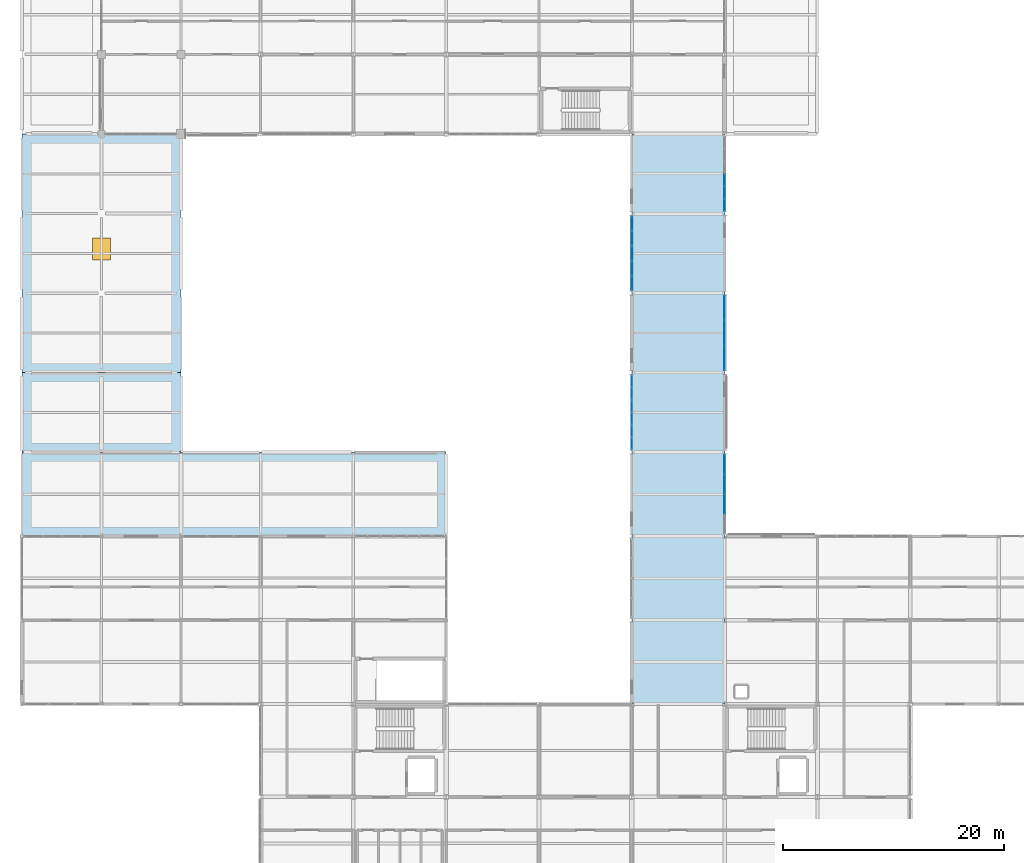
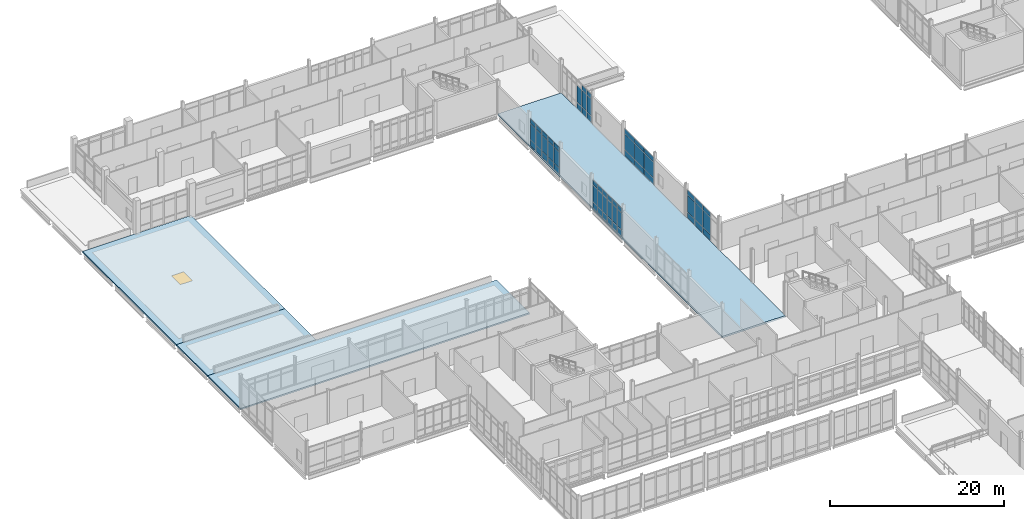
# One storey, part 127 of 186: 59 plates, 4 slabs, 1 window, 1 opening, 5 elements without a shape of their own.
"""IFC4 building model written with IfcOpenShell, lengths in metres."""

from ifc_helpers import new_model, si_unit, direction, frame, origin, origin_2d, place, context, subcontext, project, spatial, polyline, rectangle, outline, extrude, material, layer, layer_set, type_object, element, fill, aggregate, save


model = new_model("IFC4")

# Units and contexts
model_context = context("Model", 3, precision=1e-05, world=origin(), true_north=direction((0.0, 1.0)))
body_context = subcontext(model_context, "Body", "Model", "MODEL_VIEW")
ifc_project = project(units=[si_unit("LENGTHUNIT", "METRE"), si_unit("AREAUNIT", "SQUARE_METRE"), si_unit("VOLUMEUNIT", "CUBIC_METRE"), si_unit("PLANEANGLEUNIT", "RADIAN"), si_unit("MASSUNIT", "GRAM", prefix="KILO")], contexts=[model_context])

# Site, building, storey
site_placement = place(None, origin())
site = spatial("IfcSite", under=ifc_project, at=site_placement, CompositionType="ELEMENT")
building_placement = place(site_placement, origin())
building = spatial("IfcBuilding", under=site, at=building_placement, Name="Calvrana Isthmian Art Gallery", CompositionType="ELEMENT")
storey_placement = place(building_placement, frame((0.0, 0.0, 5.39990234375)))
storey = spatial("IfcBuildingStorey", under=building, at=storey_placement, Name="L01", CompositionType="ELEMENT", Elevation=5.39990234375)

# Curtain wall, plates
ifc_material_1 = material(Name="Anodized bronze aluminium 6063-T6", Category="aluminium")
ifc_layer_1 = layer(ifc_material_1, 0.179931640625, Name="Anodized bronze aluminium 6063-T6")
ifc_layer_set_1 = layer_set([ifc_layer_1], Name="Anodized bronze aluminium 6063-T6")
curtain_wall_type_1 = type_object("IfcCurtainWallType", Name="CW-STICK-068X39", PredefinedType="NOTDEFINED", material=ifc_layer_set_1)
curtain_wall_1_placement = place(storey_placement, origin())
curtain_wall_1 = element("IfcCurtainWall", 1, at=curtain_wall_1_placement, inside=storey, type_object=curtain_wall_type_1, Name="Curtain wall CW-125", PredefinedType="NOTDEFINED")
ifc_material_2 = material(Name="Polychrome glazed terracotta", Category="masonry")
ifc_layer_2 = layer(ifc_material_2, 0.033935546875, Name="Polychrome glazed terracotta")
ifc_layer_set_2 = layer_set([ifc_layer_2], Name="Polychrome glazed terracotta")
plate_type_1 = type_object("IfcPlateType", Name="CWP-SPANDREL-34", PredefinedType="CURTAIN_PANEL", material=ifc_layer_set_2)
plate_1_placement = place(storey_placement, frame((55.199951171875, 84.886962890625, 0.06005859375), z_axis=(0.0, 0.0, 1.0), x_axis=(0.0, 1.0, 0.0)))
plate_1 = element("IfcPlate", 2, at=plate_1_placement, type_object=plate_type_1, Name="CW-125 panel 1.1", PredefinedType="CURTAIN_PANEL", context=body_context, shape_type="SweptSolid", body=[
    extrude(rectangle(XDim=1.245849609375, YDim=0.033935546875, at=origin_2d()), origin(), (0.0, 0.0, 1.0), 0.81005859375),
])
plate_2_placement = place(storey_placement, frame((55.199951171875, 84.886962890625, 0.93017578125), z_axis=(0.0, 0.0, 1.0), x_axis=(0.0, 1.0, 0.0)))
plate_2 = element("IfcPlate", 3, at=plate_2_placement, type_object=plate_type_1, Name="CW-125 panel 1.2", PredefinedType="CURTAIN_PANEL", context=body_context, shape_type="SweptSolid", body=[
    extrude(rectangle(XDim=1.245849609375, YDim=0.033935546875, at=origin_2d()), origin(), (0.0, 0.0, 1.0), 2.202880859375),
])
plate_3_placement = place(storey_placement, frame((55.199951171875, 84.886962890625, 3.193359375), z_axis=(0.0, 0.0, 1.0), x_axis=(0.0, 1.0, 0.0)))
plate_3 = element("IfcPlate", 4, at=plate_3_placement, type_object=plate_type_1, Name="CW-125 panel 1.3", PredefinedType="CURTAIN_PANEL", context=body_context, shape_type="SweptSolid", body=[
    extrude(rectangle(XDim=1.245849609375, YDim=0.033935546875, at=origin_2d()), origin(), (0.0, 0.0, 1.0), 0.659912109375),
])
plate_4_placement = place(storey_placement, frame((55.199951171875, 86.23291015625, 0.06005859375), z_axis=(0.0, 0.0, 1.0), x_axis=(0.0, 1.0, 0.0)))
plate_4 = element("IfcPlate", 5, at=plate_4_placement, type_object=plate_type_1, Name="CW-125 panel 2.1", PredefinedType="CURTAIN_PANEL", context=body_context, shape_type="SweptSolid", body=[
    extrude(rectangle(XDim=1.285888671875, YDim=0.033935546875, at=origin_2d()), origin(), (0.0, 0.0, 1.0), 0.81005859375),
])
plate_5_placement = place(storey_placement, frame((55.199951171875, 86.23291015625, 0.93017578125), z_axis=(0.0, 0.0, 1.0), x_axis=(0.0, 1.0, 0.0)))
plate_5 = element("IfcPlate", 6, at=plate_5_placement, type_object=plate_type_1, Name="CW-125 panel 2.2", PredefinedType="CURTAIN_PANEL", context=body_context, shape_type="SweptSolid", body=[
    extrude(rectangle(XDim=1.285888671875, YDim=0.033935546875, at=origin_2d()), origin(), (0.0, 0.0, 1.0), 2.202880859375),
])
plate_6_placement = place(storey_placement, frame((55.199951171875, 86.23291015625, 3.193359375), z_axis=(0.0, 0.0, 1.0), x_axis=(0.0, 1.0, 0.0)))
plate_6 = element("IfcPlate", 7, at=plate_6_placement, type_object=plate_type_1, Name="CW-125 panel 2.3", PredefinedType="CURTAIN_PANEL", context=body_context, shape_type="SweptSolid", body=[
    extrude(rectangle(XDim=1.285888671875, YDim=0.033935546875, at=origin_2d()), origin(), (0.0, 0.0, 1.0), 0.659912109375),
])
plate_7_placement = place(storey_placement, frame((55.199951171875, 87.5986328125, 0.06005859375), z_axis=(0.0, 0.0, 1.0), x_axis=(0.0, 1.0, 0.0)))
plate_7 = element("IfcPlate", 8, at=plate_7_placement, type_object=plate_type_1, Name="CW-125 panel 3.1", PredefinedType="CURTAIN_PANEL", context=body_context, shape_type="SweptSolid", body=[
    extrude(rectangle(XDim=1.285888671875, YDim=0.033935546875, at=origin_2d()), origin(), (0.0, 0.0, 1.0), 0.81005859375),
])
plate_8_placement = place(storey_placement, frame((55.199951171875, 87.5986328125, 0.93017578125), z_axis=(0.0, 0.0, 1.0), x_axis=(0.0, 1.0, 0.0)))
plate_8 = element("IfcPlate", 9, at=plate_8_placement, type_object=plate_type_1, Name="CW-125 panel 3.2", PredefinedType="CURTAIN_PANEL", context=body_context, shape_type="SweptSolid", body=[
    extrude(rectangle(XDim=1.285888671875, YDim=0.033935546875, at=origin_2d()), origin(), (0.0, 0.0, 1.0), 2.202880859375),
])
plate_9_placement = place(storey_placement, frame((55.199951171875, 87.5986328125, 3.193359375), z_axis=(0.0, 0.0, 1.0), x_axis=(0.0, 1.0, 0.0)))
plate_9 = element("IfcPlate", 10, at=plate_9_placement, type_object=plate_type_1, Name="CW-125 panel 3.3", PredefinedType="CURTAIN_PANEL", context=body_context, shape_type="SweptSolid", body=[
    extrude(rectangle(XDim=1.285888671875, YDim=0.033935546875, at=origin_2d()), origin(), (0.0, 0.0, 1.0), 0.659912109375),
])
plate_10_placement = place(storey_placement, frame((55.199951171875, 88.964599609375, 0.06005859375), z_axis=(0.0, 0.0, 1.0), x_axis=(0.0, 1.0, 0.0)))
plate_10 = element("IfcPlate", 11, at=plate_10_placement, type_object=plate_type_1, Name="CW-125 panel 4.1", PredefinedType="CURTAIN_PANEL", context=body_context, shape_type="SweptSolid", body=[
    extrude(rectangle(XDim=1.285888671875, YDim=0.033935546875, at=origin_2d()), origin(), (0.0, 0.0, 1.0), 0.81005859375),
])
plate_11_placement = place(storey_placement, frame((55.199951171875, 88.964599609375, 0.93017578125), z_axis=(0.0, 0.0, 1.0), x_axis=(0.0, 1.0, 0.0)))
plate_11 = element("IfcPlate", 12, at=plate_11_placement, type_object=plate_type_1, Name="CW-125 panel 4.2", PredefinedType="CURTAIN_PANEL", context=body_context, shape_type="SweptSolid", body=[
    extrude(rectangle(XDim=1.285888671875, YDim=0.033935546875, at=origin_2d()), origin(), (0.0, 0.0, 1.0), 2.202880859375),
])
plate_12_placement = place(storey_placement, frame((55.199951171875, 88.964599609375, 3.193359375), z_axis=(0.0, 0.0, 1.0), x_axis=(0.0, 1.0, 0.0)))
plate_12 = element("IfcPlate", 13, at=plate_12_placement, type_object=plate_type_1, Name="CW-125 panel 4.3", PredefinedType="CURTAIN_PANEL", context=body_context, shape_type="SweptSolid", body=[
    extrude(rectangle(XDim=1.285888671875, YDim=0.033935546875, at=origin_2d()), origin(), (0.0, 0.0, 1.0), 0.659912109375),
])
plate_13_placement = place(storey_placement, frame((55.199951171875, 90.310546875, 0.06005859375), z_axis=(0.0, 0.0, 1.0), x_axis=(0.0, 1.0, 0.0)))
plate_13 = element("IfcPlate", 14, at=plate_13_placement, type_object=plate_type_1, Name="CW-125 panel 5.1", PredefinedType="CURTAIN_PANEL", context=body_context, shape_type="SweptSolid", body=[
    extrude(rectangle(XDim=1.245849609375, YDim=0.033935546875, at=origin_2d()), origin(), (0.0, 0.0, 1.0), 0.81005859375),
])
plate_14_placement = place(storey_placement, frame((55.199951171875, 90.310546875, 0.93017578125), z_axis=(0.0, 0.0, 1.0), x_axis=(0.0, 1.0, 0.0)))
plate_14 = element("IfcPlate", 15, at=plate_14_placement, type_object=plate_type_1, Name="CW-125 panel 5.2", PredefinedType="CURTAIN_PANEL", context=body_context, shape_type="SweptSolid", body=[
    extrude(rectangle(XDim=1.245849609375, YDim=0.033935546875, at=origin_2d()), origin(), (0.0, 0.0, 1.0), 2.202880859375),
])
plate_15_placement = place(storey_placement, frame((55.199951171875, 90.310546875, 3.193359375), z_axis=(0.0, 0.0, 1.0), x_axis=(0.0, 1.0, 0.0)))
plate_15 = element("IfcPlate", 16, at=plate_15_placement, type_object=plate_type_1, Name="CW-125 panel 5.3", PredefinedType="CURTAIN_PANEL", context=body_context, shape_type="SweptSolid", body=[
    extrude(rectangle(XDim=1.245849609375, YDim=0.033935546875, at=origin_2d()), origin(), (0.0, 0.0, 1.0), 0.659912109375),
])
aggregate(curtain_wall_1, [plate_1, plate_2, plate_3, plate_4, plate_5, plate_6, plate_7, plate_8, plate_9, plate_10, plate_11, plate_12, plate_13, plate_14, plate_15])

ifc_layer_3 = layer(ifc_material_1, 0.179931640625, Name="Anodized bronze aluminium 6063-T6")
ifc_layer_set_3 = layer_set([ifc_layer_3], Name="Anodized bronze aluminium 6063-T6")
curtain_wall_type_2 = type_object("IfcCurtainWallType", Name="CW-STICK-068X41", PredefinedType="NOTDEFINED", material=ifc_layer_set_3)
curtain_wall_2_placement = place(storey_placement, origin())
curtain_wall_2 = element("IfcCurtainWall", 17, at=curtain_wall_2_placement, inside=storey, type_object=curtain_wall_type_2, Name="Curtain wall CW-124", PredefinedType="NOTDEFINED")
ifc_material_3 = material(Name="Low-E laminated solar glass", Category="glass")
ifc_layer_4 = layer(ifc_material_3, 0.028076171875, Name="Low-E laminated solar glass")
ifc_layer_set_4 = layer_set([ifc_layer_4], Name="Low-E laminated solar glass")
plate_type_2 = type_object("IfcPlateType", Name="CWP-VISION-28", PredefinedType="CURTAIN_PANEL", material=ifc_layer_set_4)
plate_16_placement = place(storey_placement, frame((55.199951171875, 70.36669921875, 0.074951171875), z_axis=(0.0, 0.0, 1.0), x_axis=(0.0, 1.0, 0.0)))
plate_16 = element("IfcPlate", 18, at=plate_16_placement, type_object=plate_type_2, Name="CW-124 panel 1.1", PredefinedType="CURTAIN_PANEL", context=body_context, shape_type="SweptSolid", body=[
    extrude(rectangle(XDim=1.027587890625, YDim=0.028076171875, at=origin_2d()), origin(), (0.0, 0.0, 1.0), 0.78759765625),
])
plate_17_placement = place(storey_placement, frame((55.199951171875, 70.36669921875, 0.9375), z_axis=(0.0, 0.0, 1.0), x_axis=(0.0, 1.0, 0.0)))
plate_17 = element("IfcPlate", 19, at=plate_17_placement, type_object=plate_type_2, Name="CW-124 panel 1.2", PredefinedType="CURTAIN_PANEL", context=body_context, shape_type="SweptSolid", body=[
    extrude(rectangle(XDim=1.027587890625, YDim=0.028076171875, at=origin_2d()), origin(), (0.0, 0.0, 1.0), 2.3330078125),
])
plate_18_placement = place(storey_placement, frame((55.199951171875, 70.36669921875, 3.345703125), z_axis=(0.0, 0.0, 1.0), x_axis=(0.0, 1.0, 0.0)))
plate_18 = element("IfcPlate", 20, at=plate_18_placement, type_object=plate_type_2, Name="CW-124 panel 1.3", PredefinedType="CURTAIN_PANEL", context=body_context, shape_type="SweptSolid", body=[
    extrude(rectangle(XDim=1.027587890625, YDim=0.028076171875, at=origin_2d()), origin(), (0.0, 0.0, 1.0), 0.637451171875),
])
plate_19_placement = place(storey_placement, frame((55.199951171875, 71.488037109375, 0.074951171875), z_axis=(0.0, 0.0, 1.0), x_axis=(0.0, 1.0, 0.0)))
plate_19 = element("IfcPlate", 21, at=plate_19_placement, type_object=plate_type_2, Name="CW-124 panel 2.1", PredefinedType="CURTAIN_PANEL", context=body_context, shape_type="SweptSolid", body=[
    extrude(rectangle(XDim=1.065185546875, YDim=0.028076171875, at=origin_2d()), origin(), (0.0, 0.0, 1.0), 0.78759765625),
])
plate_20_placement = place(storey_placement, frame((55.199951171875, 71.488037109375, 0.9375), z_axis=(0.0, 0.0, 1.0), x_axis=(0.0, 1.0, 0.0)))
plate_20 = element("IfcPlate", 22, at=plate_20_placement, type_object=plate_type_2, Name="CW-124 panel 2.2", PredefinedType="CURTAIN_PANEL", context=body_context, shape_type="SweptSolid", body=[
    extrude(rectangle(XDim=1.065185546875, YDim=0.028076171875, at=origin_2d()), origin(), (0.0, 0.0, 1.0), 2.3330078125),
])
plate_21_placement = place(storey_placement, frame((55.199951171875, 71.488037109375, 3.345703125), z_axis=(0.0, 0.0, 1.0), x_axis=(0.0, 1.0, 0.0)))
plate_21 = element("IfcPlate", 23, at=plate_21_placement, type_object=plate_type_2, Name="CW-124 panel 2.3", PredefinedType="CURTAIN_PANEL", context=body_context, shape_type="SweptSolid", body=[
    extrude(rectangle(XDim=1.065185546875, YDim=0.028076171875, at=origin_2d()), origin(), (0.0, 0.0, 1.0), 0.637451171875),
])
plate_22_placement = place(storey_placement, frame((55.199951171875, 72.628173828125, 0.074951171875), z_axis=(0.0, 0.0, 1.0), x_axis=(0.0, 1.0, 0.0)))
plate_22 = element("IfcPlate", 24, at=plate_22_placement, type_object=plate_type_2, Name="CW-124 panel 3.1", PredefinedType="CURTAIN_PANEL", context=body_context, shape_type="SweptSolid", body=[
    extrude(rectangle(XDim=1.065185546875, YDim=0.028076171875, at=origin_2d()), origin(), (0.0, 0.0, 1.0), 0.78759765625),
])
plate_23_placement = place(storey_placement, frame((55.199951171875, 72.628173828125, 0.9375), z_axis=(0.0, 0.0, 1.0), x_axis=(0.0, 1.0, 0.0)))
plate_23 = element("IfcPlate", 25, at=plate_23_placement, type_object=plate_type_2, Name="CW-124 panel 3.2", PredefinedType="CURTAIN_PANEL", context=body_context, shape_type="SweptSolid", body=[
    extrude(rectangle(XDim=1.065185546875, YDim=0.028076171875, at=origin_2d()), origin(), (0.0, 0.0, 1.0), 2.3330078125),
])
plate_24_placement = place(storey_placement, frame((55.199951171875, 72.628173828125, 3.345703125), z_axis=(0.0, 0.0, 1.0), x_axis=(0.0, 1.0, 0.0)))
plate_24 = element("IfcPlate", 26, at=plate_24_placement, type_object=plate_type_2, Name="CW-124 panel 3.3", PredefinedType="CURTAIN_PANEL", context=body_context, shape_type="SweptSolid", body=[
    extrude(rectangle(XDim=1.065185546875, YDim=0.028076171875, at=origin_2d()), origin(), (0.0, 0.0, 1.0), 0.637451171875),
])
plate_25_placement = place(storey_placement, frame((55.199951171875, 73.768310546875, 0.074951171875), z_axis=(0.0, 0.0, 1.0), x_axis=(0.0, 1.0, 0.0)))
plate_25 = element("IfcPlate", 27, at=plate_25_placement, type_object=plate_type_2, Name="CW-124 panel 4.1", PredefinedType="CURTAIN_PANEL", context=body_context, shape_type="SweptSolid", body=[
    extrude(rectangle(XDim=1.065185546875, YDim=0.028076171875, at=origin_2d()), origin(), (0.0, 0.0, 1.0), 0.78759765625),
])
plate_26_placement = place(storey_placement, frame((55.199951171875, 73.768310546875, 0.9375), z_axis=(0.0, 0.0, 1.0), x_axis=(0.0, 1.0, 0.0)))
plate_26 = element("IfcPlate", 28, at=plate_26_placement, type_object=plate_type_2, Name="CW-124 panel 4.2", PredefinedType="CURTAIN_PANEL", context=body_context, shape_type="SweptSolid", body=[
    extrude(rectangle(XDim=1.065185546875, YDim=0.028076171875, at=origin_2d()), origin(), (0.0, 0.0, 1.0), 2.3330078125),
])
plate_27_placement = place(storey_placement, frame((55.199951171875, 73.768310546875, 3.345703125), z_axis=(0.0, 0.0, 1.0), x_axis=(0.0, 1.0, 0.0)))
plate_27 = element("IfcPlate", 29, at=plate_27_placement, type_object=plate_type_2, Name="CW-124 panel 4.3", PredefinedType="CURTAIN_PANEL", context=body_context, shape_type="SweptSolid", body=[
    extrude(rectangle(XDim=1.065185546875, YDim=0.028076171875, at=origin_2d()), origin(), (0.0, 0.0, 1.0), 0.637451171875),
])
plate_28_placement = place(storey_placement, frame((55.199951171875, 74.908447265625, 0.074951171875), z_axis=(0.0, 0.0, 1.0), x_axis=(0.0, 1.0, 0.0)))
plate_28 = element("IfcPlate", 30, at=plate_28_placement, type_object=plate_type_2, Name="CW-124 panel 5.1", PredefinedType="CURTAIN_PANEL", context=body_context, shape_type="SweptSolid", body=[
    extrude(rectangle(XDim=1.065185546875, YDim=0.028076171875, at=origin_2d()), origin(), (0.0, 0.0, 1.0), 0.78759765625),
])
plate_29_placement = place(storey_placement, frame((55.199951171875, 74.908447265625, 0.9375), z_axis=(0.0, 0.0, 1.0), x_axis=(0.0, 1.0, 0.0)))
plate_29 = element("IfcPlate", 31, at=plate_29_placement, type_object=plate_type_2, Name="CW-124 panel 5.2", PredefinedType="CURTAIN_PANEL", context=body_context, shape_type="SweptSolid", body=[
    extrude(rectangle(XDim=1.065185546875, YDim=0.028076171875, at=origin_2d()), origin(), (0.0, 0.0, 1.0), 2.3330078125),
])
plate_30_placement = place(storey_placement, frame((55.199951171875, 74.908447265625, 3.345703125), z_axis=(0.0, 0.0, 1.0), x_axis=(0.0, 1.0, 0.0)))
plate_30 = element("IfcPlate", 32, at=plate_30_placement, type_object=plate_type_2, Name="CW-124 panel 5.3", PredefinedType="CURTAIN_PANEL", context=body_context, shape_type="SweptSolid", body=[
    extrude(rectangle(XDim=1.065185546875, YDim=0.028076171875, at=origin_2d()), origin(), (0.0, 0.0, 1.0), 0.637451171875),
])
plate_31_placement = place(storey_placement, frame((55.199951171875, 76.02978515625, 0.074951171875), z_axis=(0.0, 0.0, 1.0), x_axis=(0.0, 1.0, 0.0)))
plate_31 = element("IfcPlate", 33, at=plate_31_placement, type_object=plate_type_2, Name="CW-124 panel 6.1", PredefinedType="CURTAIN_PANEL", context=body_context, shape_type="SweptSolid", body=[
    extrude(rectangle(XDim=1.027587890625, YDim=0.028076171875, at=origin_2d()), origin(), (0.0, 0.0, 1.0), 0.78759765625),
])
plate_32_placement = place(storey_placement, frame((55.199951171875, 76.02978515625, 0.9375), z_axis=(0.0, 0.0, 1.0), x_axis=(0.0, 1.0, 0.0)))
plate_32 = element("IfcPlate", 34, at=plate_32_placement, type_object=plate_type_2, Name="CW-124 panel 6.2", PredefinedType="CURTAIN_PANEL", context=body_context, shape_type="SweptSolid", body=[
    extrude(rectangle(XDim=1.027587890625, YDim=0.028076171875, at=origin_2d()), origin(), (0.0, 0.0, 1.0), 2.3330078125),
])
plate_33_placement = place(storey_placement, frame((55.199951171875, 76.02978515625, 3.345703125), z_axis=(0.0, 0.0, 1.0), x_axis=(0.0, 1.0, 0.0)))
plate_33 = element("IfcPlate", 35, at=plate_33_placement, type_object=plate_type_2, Name="CW-124 panel 6.3", PredefinedType="CURTAIN_PANEL", context=body_context, shape_type="SweptSolid", body=[
    extrude(rectangle(XDim=1.027587890625, YDim=0.028076171875, at=origin_2d()), origin(), (0.0, 0.0, 1.0), 0.637451171875),
])
aggregate(curtain_wall_2, [plate_16, plate_17, plate_18, plate_19, plate_20, plate_21, plate_22, plate_23, plate_24, plate_25, plate_26, plate_27, plate_28, plate_29, plate_30, plate_31, plate_32, plate_33])

ifc_layer_5 = layer(ifc_material_1, 0.179931640625, Name="Anodized bronze aluminium 6063-T6")
ifc_layer_set_5 = layer_set([ifc_layer_5], Name="Anodized bronze aluminium 6063-T6")
curtain_wall_type_3 = type_object("IfcCurtainWallType", Name="CW-STICK-072X41", PredefinedType="NOTDEFINED", material=ifc_layer_set_5)
curtain_wall_3_placement = place(storey_placement, origin())
curtain_wall_3 = element("IfcCurtainWall", 36, at=curtain_wall_3_placement, inside=storey, type_object=curtain_wall_type_3, Name="Curtain wall CW-126", PredefinedType="NOTDEFINED")
plate_34_placement = place(storey_placement, frame((63.60009765625, 68.494873046875, 0.06005859375), z_axis=(0.0, 0.0, 1.0), x_axis=(0.0, -1.0, 0.0)))
plate_34 = element("IfcPlate", 37, at=plate_34_placement, type_object=plate_type_2, Name="CW-126 panel 1.1", PredefinedType="CURTAIN_PANEL", context=body_context, shape_type="SweptSolid", body=[
    extrude(rectangle(XDim=1.71728515625, YDim=0.028076171875, at=origin_2d()), origin(), (0.0, 0.0, 1.0), 0.81005859375),
])
plate_35_placement = place(storey_placement, frame((63.60009765625, 68.494873046875, 0.93017578125), z_axis=(0.0, 0.0, 1.0), x_axis=(0.0, -1.0, 0.0)))
plate_35 = element("IfcPlate", 38, at=plate_35_placement, type_object=plate_type_2, Name="CW-126 panel 1.2", PredefinedType="CURTAIN_PANEL", context=body_context, shape_type="SweptSolid", body=[
    extrude(rectangle(XDim=1.71728515625, YDim=0.028076171875, at=origin_2d()), origin(), (0.0, 0.0, 1.0), 2.347900390625),
])
plate_36_placement = place(storey_placement, frame((63.60009765625, 68.494873046875, 3.33837890625), z_axis=(0.0, 0.0, 1.0), x_axis=(0.0, -1.0, 0.0)))
plate_36 = element("IfcPlate", 39, at=plate_36_placement, type_object=plate_type_2, Name="CW-126 panel 1.3", PredefinedType="CURTAIN_PANEL", context=body_context, shape_type="SweptSolid", body=[
    extrude(rectangle(XDim=1.71728515625, YDim=0.028076171875, at=origin_2d()), origin(), (0.0, 0.0, 1.0), 0.659912109375),
])
plate_37_placement = place(storey_placement, frame((63.60009765625, 66.702392578125, 0.06005859375), z_axis=(0.0, 0.0, 1.0), x_axis=(0.0, -1.0, 0.0)))
plate_37 = element("IfcPlate", 40, at=plate_37_placement, type_object=plate_type_2, Name="CW-126 panel 2.1", PredefinedType="CURTAIN_PANEL", context=body_context, shape_type="SweptSolid", body=[
    extrude(rectangle(XDim=1.747314453125, YDim=0.028076171875, at=origin_2d()), origin(), (0.0, 0.0, 1.0), 0.81005859375),
])
plate_38_placement = place(storey_placement, frame((63.60009765625, 66.702392578125, 0.93017578125), z_axis=(0.0, 0.0, 1.0), x_axis=(0.0, -1.0, 0.0)))
plate_38 = element("IfcPlate", 41, at=plate_38_placement, type_object=plate_type_2, Name="CW-126 panel 2.2", PredefinedType="CURTAIN_PANEL", context=body_context, shape_type="SweptSolid", body=[
    extrude(rectangle(XDim=1.747314453125, YDim=0.028076171875, at=origin_2d()), origin(), (0.0, 0.0, 1.0), 2.347900390625),
])
plate_39_placement = place(storey_placement, frame((63.60009765625, 66.702392578125, 3.33837890625), z_axis=(0.0, 0.0, 1.0), x_axis=(0.0, -1.0, 0.0)))
plate_39 = element("IfcPlate", 42, at=plate_39_placement, type_object=plate_type_2, Name="CW-126 panel 2.3", PredefinedType="CURTAIN_PANEL", context=body_context, shape_type="SweptSolid", body=[
    extrude(rectangle(XDim=1.747314453125, YDim=0.028076171875, at=origin_2d()), origin(), (0.0, 0.0, 1.0), 0.659912109375),
])
plate_40_placement = place(storey_placement, frame((63.60009765625, 64.89501953125, 0.06005859375), z_axis=(0.0, 0.0, 1.0), x_axis=(0.0, -1.0, 0.0)))
plate_40 = element("IfcPlate", 43, at=plate_40_placement, type_object=plate_type_2, Name="CW-126 panel 3.1", PredefinedType="CURTAIN_PANEL", context=body_context, shape_type="SweptSolid", body=[
    extrude(rectangle(XDim=1.747314453125, YDim=0.028076171875, at=origin_2d()), origin(), (0.0, 0.0, 1.0), 0.81005859375),
])
plate_41_placement = place(storey_placement, frame((63.60009765625, 64.89501953125, 0.93017578125), z_axis=(0.0, 0.0, 1.0), x_axis=(0.0, -1.0, 0.0)))
plate_41 = element("IfcPlate", 44, at=plate_41_placement, type_object=plate_type_2, Name="CW-126 panel 3.2", PredefinedType="CURTAIN_PANEL", context=body_context, shape_type="SweptSolid", body=[
    extrude(rectangle(XDim=1.747314453125, YDim=0.028076171875, at=origin_2d()), origin(), (0.0, 0.0, 1.0), 2.347900390625),
])
plate_42_placement = place(storey_placement, frame((63.60009765625, 64.89501953125, 3.33837890625), z_axis=(0.0, 0.0, 1.0), x_axis=(0.0, -1.0, 0.0)))
plate_42 = element("IfcPlate", 45, at=plate_42_placement, type_object=plate_type_2, Name="CW-126 panel 3.3", PredefinedType="CURTAIN_PANEL", context=body_context, shape_type="SweptSolid", body=[
    extrude(rectangle(XDim=1.747314453125, YDim=0.028076171875, at=origin_2d()), origin(), (0.0, 0.0, 1.0), 0.659912109375),
])
aggregate(curtain_wall_3, [plate_34, plate_35, plate_36, plate_37, plate_38, plate_39, plate_40, plate_41, plate_42])

curtain_wall_4_placement = place(storey_placement, origin())
curtain_wall_4 = element("IfcCurtainWall", 46, at=curtain_wall_4_placement, inside=storey, type_object=curtain_wall_type_1, Name="Curtain wall CW-127", PredefinedType="NOTDEFINED")
plate_43_placement = place(storey_placement, frame((63.60009765625, 82.663330078125, 0.06494140625), z_axis=(0.0, 0.0, 1.0), x_axis=(0.0, -1.0, 0.0)))
plate_43 = element("IfcPlate", 47, at=plate_43_placement, type_object=plate_type_2, Name="CW-127 panel 1.1", PredefinedType="CURTAIN_PANEL", context=body_context, shape_type="SweptSolid", body=[
    extrude(rectangle(XDim=2.190185546875, YDim=0.028076171875, at=origin_2d()), origin(), (0.0, 0.0, 1.0), 0.802490234375),
])
plate_44_placement = place(storey_placement, frame((63.60009765625, 82.663330078125, 0.9326171875), z_axis=(0.0, 0.0, 1.0), x_axis=(0.0, -1.0, 0.0)))
plate_44 = element("IfcPlate", 48, at=plate_44_placement, type_object=plate_type_2, Name="CW-127 panel 1.2", PredefinedType="CURTAIN_PANEL", context=body_context, shape_type="SweptSolid", body=[
    extrude(rectangle(XDim=2.190185546875, YDim=0.028076171875, at=origin_2d()), origin(), (0.0, 0.0, 1.0), 2.197998046875),
])
plate_45_placement = place(storey_placement, frame((63.60009765625, 82.663330078125, 3.1953125), z_axis=(0.0, 0.0, 1.0), x_axis=(0.0, -1.0, 0.0)))
plate_45 = element("IfcPlate", 49, at=plate_45_placement, type_object=plate_type_2, Name="CW-127 panel 1.3", PredefinedType="CURTAIN_PANEL", context=body_context, shape_type="SweptSolid", body=[
    extrude(rectangle(XDim=2.190185546875, YDim=0.028076171875, at=origin_2d()), origin(), (0.0, 0.0, 1.0), 0.652587890625),
])
plate_46_placement = place(storey_placement, frame((63.60009765625, 80.398193359375, 0.06494140625), z_axis=(0.0, 0.0, 1.0), x_axis=(0.0, -1.0, 0.0)))
plate_46 = element("IfcPlate", 50, at=plate_46_placement, type_object=plate_type_2, Name="CW-127 panel 2.1", PredefinedType="CURTAIN_PANEL", context=body_context, shape_type="SweptSolid", body=[
    extrude(rectangle(XDim=2.22021484375, YDim=0.028076171875, at=origin_2d()), origin(), (0.0, 0.0, 1.0), 0.802490234375),
])
plate_47_placement = place(storey_placement, frame((63.60009765625, 80.398193359375, 0.9326171875), z_axis=(0.0, 0.0, 1.0), x_axis=(0.0, -1.0, 0.0)))
plate_47 = element("IfcPlate", 51, at=plate_47_placement, type_object=plate_type_2, Name="CW-127 panel 2.2", PredefinedType="CURTAIN_PANEL", context=body_context, shape_type="SweptSolid", body=[
    extrude(rectangle(XDim=2.22021484375, YDim=0.028076171875, at=origin_2d()), origin(), (0.0, 0.0, 1.0), 2.197998046875),
])
plate_48_placement = place(storey_placement, frame((63.60009765625, 80.398193359375, 3.1953125), z_axis=(0.0, 0.0, 1.0), x_axis=(0.0, -1.0, 0.0)))
plate_48 = element("IfcPlate", 52, at=plate_48_placement, type_object=plate_type_2, Name="CW-127 panel 2.3", PredefinedType="CURTAIN_PANEL", context=body_context, shape_type="SweptSolid", body=[
    extrude(rectangle(XDim=2.22021484375, YDim=0.028076171875, at=origin_2d()), origin(), (0.0, 0.0, 1.0), 0.652587890625),
])
plate_49_placement = place(storey_placement, frame((63.60009765625, 78.133056640625, 0.06494140625), z_axis=(0.0, 0.0, 1.0), x_axis=(0.0, -1.0, 0.0)))
plate_49 = element("IfcPlate", 53, at=plate_49_placement, type_object=plate_type_2, Name="CW-127 panel 3.1", PredefinedType="CURTAIN_PANEL", context=body_context, shape_type="SweptSolid", body=[
    extrude(rectangle(XDim=2.190185546875, YDim=0.028076171875, at=origin_2d()), origin(), (0.0, 0.0, 1.0), 0.802490234375),
])
plate_50_placement = place(storey_placement, frame((63.60009765625, 78.133056640625, 0.9326171875), z_axis=(0.0, 0.0, 1.0), x_axis=(0.0, -1.0, 0.0)))
plate_50 = element("IfcPlate", 54, at=plate_50_placement, type_object=plate_type_2, Name="CW-127 panel 3.2", PredefinedType="CURTAIN_PANEL", context=body_context, shape_type="SweptSolid", body=[
    extrude(rectangle(XDim=2.190185546875, YDim=0.028076171875, at=origin_2d()), origin(), (0.0, 0.0, 1.0), 2.197998046875),
])
plate_51_placement = place(storey_placement, frame((63.60009765625, 78.133056640625, 3.1953125), z_axis=(0.0, 0.0, 1.0), x_axis=(0.0, -1.0, 0.0)))
plate_51 = element("IfcPlate", 55, at=plate_51_placement, type_object=plate_type_2, Name="CW-127 panel 3.3", PredefinedType="CURTAIN_PANEL", context=body_context, shape_type="SweptSolid", body=[
    extrude(rectangle(XDim=2.190185546875, YDim=0.028076171875, at=origin_2d()), origin(), (0.0, 0.0, 1.0), 0.652587890625),
])
aggregate(curtain_wall_4, [plate_43, plate_44, plate_45, plate_46, plate_47, plate_48, plate_49, plate_50, plate_51])

curtain_wall_5_placement = place(storey_placement, origin())
curtain_wall_5 = element("IfcCurtainWall", 56, at=curtain_wall_5_placement, inside=storey, type_object=curtain_wall_type_2, Name="Curtain wall CW-128", PredefinedType="NOTDEFINED")
plate_52_placement = place(storey_placement, frame((63.60009765625, 94.229736328125, 0.070068359375), z_axis=(0.0, 0.0, 1.0), x_axis=(0.0, -1.0, 0.0)))
plate_52 = element("IfcPlate", 57, at=plate_52_placement, type_object=plate_type_2, Name="CW-128 panel 4.1", PredefinedType="CURTAIN_PANEL", context=body_context, shape_type="SweptSolid", body=[
    extrude(rectangle(XDim=1.0732421875, YDim=0.028076171875, at=origin_2d()), origin(), (0.0, 0.0, 1.0), 0.794921875),
])
plate_53_placement = place(storey_placement, frame((63.60009765625, 94.229736328125, 0.93505859375), z_axis=(0.0, 0.0, 1.0), x_axis=(0.0, -1.0, 0.0)))
plate_53 = element("IfcPlate", 58, at=plate_53_placement, type_object=plate_type_2, Name="CW-128 panel 4.2", PredefinedType="CURTAIN_PANEL", context=body_context, shape_type="SweptSolid", body=[
    extrude(rectangle(XDim=1.0732421875, YDim=0.028076171875, at=origin_2d()), origin(), (0.0, 0.0, 1.0), 2.337890625),
])
plate_54_placement = place(storey_placement, frame((63.60009765625, 93.09130859375, 0.070068359375), z_axis=(0.0, 0.0, 1.0), x_axis=(0.0, -1.0, 0.0)))
plate_54 = element("IfcPlate", 59, at=plate_54_placement, type_object=plate_type_2, Name="CW-128 panel 5.1", PredefinedType="CURTAIN_PANEL", context=body_context, shape_type="SweptSolid", body=[
    extrude(rectangle(XDim=1.0732421875, YDim=0.028076171875, at=origin_2d()), origin(), (0.0, 0.0, 1.0), 0.794921875),
])
plate_55_placement = place(storey_placement, frame((63.60009765625, 93.09130859375, 0.93505859375), z_axis=(0.0, 0.0, 1.0), x_axis=(0.0, -1.0, 0.0)))
plate_55 = element("IfcPlate", 60, at=plate_55_placement, type_object=plate_type_2, Name="CW-128 panel 5.2", PredefinedType="CURTAIN_PANEL", context=body_context, shape_type="SweptSolid", body=[
    extrude(rectangle(XDim=1.0732421875, YDim=0.028076171875, at=origin_2d()), origin(), (0.0, 0.0, 1.0), 2.337890625),
])
plate_56_placement = place(storey_placement, frame((63.60009765625, 93.09130859375, 3.343017578125), z_axis=(0.0, 0.0, 1.0), x_axis=(0.0, -1.0, 0.0)))
plate_56 = element("IfcPlate", 61, at=plate_56_placement, type_object=plate_type_2, Name="CW-128 panel 5.3", PredefinedType="CURTAIN_PANEL", context=body_context, shape_type="SweptSolid", body=[
    extrude(rectangle(XDim=1.0732421875, YDim=0.028076171875, at=origin_2d()), origin(), (0.0, 0.0, 1.0), 0.64501953125),
])
plate_57_placement = place(storey_placement, frame((63.60009765625, 91.969482421875, 0.070068359375), z_axis=(0.0, 0.0, 1.0), x_axis=(0.0, -1.0, 0.0)))
plate_57 = element("IfcPlate", 62, at=plate_57_placement, type_object=plate_type_2, Name="CW-128 panel 6.1", PredefinedType="CURTAIN_PANEL", context=body_context, shape_type="SweptSolid", body=[
    extrude(rectangle(XDim=1.040771484375, YDim=0.028076171875, at=origin_2d()), origin(), (0.0, 0.0, 1.0), 0.794921875),
])
plate_58_placement = place(storey_placement, frame((63.60009765625, 91.969482421875, 0.93505859375), z_axis=(0.0, 0.0, 1.0), x_axis=(0.0, -1.0, 0.0)))
plate_58 = element("IfcPlate", 63, at=plate_58_placement, type_object=plate_type_2, Name="CW-128 panel 6.2", PredefinedType="CURTAIN_PANEL", context=body_context, shape_type="SweptSolid", body=[
    extrude(rectangle(XDim=1.040771484375, YDim=0.028076171875, at=origin_2d()), origin(), (0.0, 0.0, 1.0), 2.337890625),
])
plate_59_placement = place(storey_placement, frame((63.60009765625, 91.969482421875, 3.343017578125), z_axis=(0.0, 0.0, 1.0), x_axis=(0.0, -1.0, 0.0)))
plate_59 = element("IfcPlate", 64, at=plate_59_placement, type_object=plate_type_2, Name="CW-128 panel 6.3", PredefinedType="CURTAIN_PANEL", context=body_context, shape_type="SweptSolid", body=[
    extrude(rectangle(XDim=1.040771484375, YDim=0.028076171875, at=origin_2d()), origin(), (0.0, 0.0, 1.0), 0.64501953125),
])
aggregate(curtain_wall_5, [plate_52, plate_53, plate_54, plate_55, plate_56, plate_57, plate_58, plate_59])

# Slabs
ifc_material_4 = material(Name="Concrete C40/50", Category="concrete")
ifc_layer_6 = layer(ifc_material_4, 0.239990234375, Name="Concrete C40/50")
ifc_layer_set_6 = layer_set([ifc_layer_6], Name="Concrete C40/50")
slab_type_1 = type_object("IfcSlabType", Name="SLB-FLR-240", PredefinedType="FLOOR", material=ifc_layer_set_6)
slab_1_placement = place(storey_placement, frame((0.0, 0.0, -0.239990234375)))
element("IfcSlab", 65, at=slab_1_placement, inside=storey, type_object=slab_type_1, Name="Floor slab V6L_L01", PredefinedType="FLOOR", context=body_context, shape_type="SweptSolid", body=[
    extrude(outline(polyline([(55.199951171875, 46.800048828125), (63.60009765625, 46.800048828125), (63.60009765625, 98.39990234375), (55.199951171875, 98.39990234375), (55.199951171875, 46.800048828125)])), origin(), (0.0, 0.0, 1.0), 0.239990234375),
])
ifc_layer_7 = layer(ifc_material_4, 0.199951171875, Name="Concrete C40/50")
ifc_layer_set_7 = layer_set([ifc_layer_7], Name="Concrete C40/50")
slab_type_2 = type_object("IfcSlabType", Name="SLB-ROOF-200", PredefinedType="ROOF", material=ifc_layer_set_7)
slab_2_placement = place(storey_placement, frame((0.0, 0.0, -0.199951171875)))
element("IfcSlab", 66, at=slab_2_placement, inside=storey, type_object=slab_type_2, Name="Flat roof slab ROOF_V3M_L01", PredefinedType="ROOF", context=body_context, shape_type="SweptSolid", body=[
    extrude(outline(polyline([(0.0, 62.0), (38.39990234375, 62.0), (38.39990234375, 69.60009765625), (0.0, 69.60009765625), (0.0, 62.0)])), origin(), (0.0, 0.0, 1.0), 0.199951171875),
])
slab_3_placement = place(storey_placement, frame((0.0, 0.0, -0.199951171875)))
element("IfcSlab", 67, at=slab_3_placement, inside=storey, type_object=slab_type_2, Name="Flat roof slab ROOF_V3N_L01", PredefinedType="ROOF", context=body_context, shape_type="SweptSolid", body=[
    extrude(outline(polyline([(0.0, 69.60009765625), (14.39990234375, 69.60009765625), (14.39990234375, 76.800048828125), (0.0, 76.800048828125), (0.0, 69.60009765625)])), origin(), (0.0, 0.0, 1.0), 0.199951171875),
])

# Slab, opening, window
slab_4_placement = place(storey_placement, frame((0.0, 0.0, -0.199951171875)))
slab_4 = element("IfcSlab", 68, at=slab_4_placement, inside=storey, type_object=slab_type_2, Name="Flat roof slab ROOF_V6W_L01", PredefinedType="ROOF", context=body_context, shape_type="SweptSolid", body=[
    extrude(outline(polyline([(0.0, 76.800048828125), (14.39990234375, 76.800048828125), (14.39990234375, 98.39990234375), (0.0, 98.39990234375), (0.0, 76.800048828125)])), origin(), (0.0, 0.0, 1.0), 0.199951171875),
])
opening_placement = place(slab_4_placement, frame((7.199951171875, 88.0, -0.01025390625)))
opening = element("IfcOpeningElement", 69, at=opening_placement, cuts=slab_4, Name="Opening SK-14", PredefinedType="OPENING", context=body_context, shape_type="SweptSolid", body=[
    extrude(rectangle(XDim=1.60009765625, YDim=2.0, at=origin_2d()), origin(), (0.0, 0.0, 1.0), 0.220458984375),
])
ifc_material_5 = material(Name="Diffusing skylight glass", Category="glass")
window_type = type_object("IfcWindowType", Name="SKY-MON-160X200", PartitioningType="SINGLE_PANEL", PredefinedType="SKYLIGHT", material=ifc_material_5)
window_placement = place(slab_4_placement, frame((7.199951171875, 88.0, 0.139892578125)))
window = element("IfcWindow", 70, at=window_placement, inside=storey, type_object=window_type, Name="Roof skylight / access hatch SK-14", OverallHeight=2.0, OverallWidth=1.60009765625, PartitioningType="SINGLE_PANEL", PredefinedType="SKYLIGHT", context=body_context, shape_type="SweptSolid", body=[
    extrude(rectangle(XDim=1.60009765625, YDim=2.0, at=origin_2d()), origin(), (0.0, 0.0, 1.0), 0.06005859375),
])
fill(opening, window)

save(model, "model.ifc")
